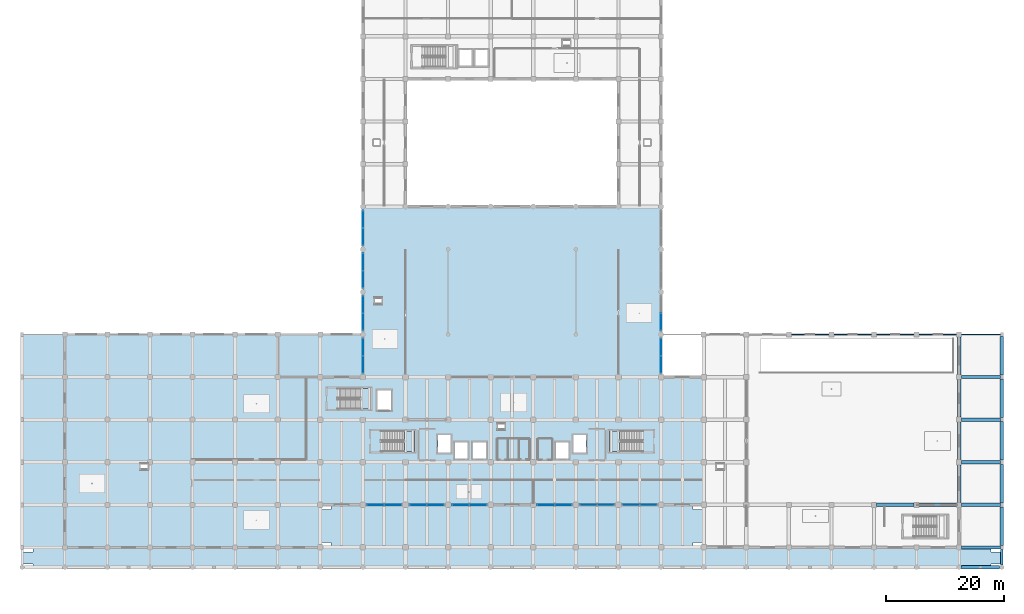
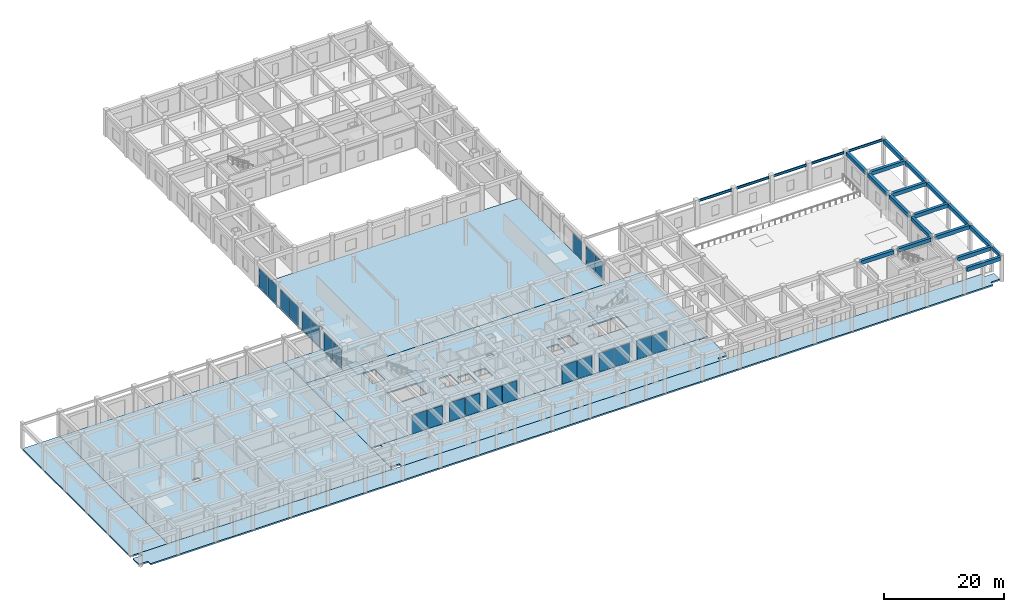
# One storey, part 23 of 56: 23 beams, 23 plates, 10 slabs, 15 elements without a shape of their own.
"""IFC4 building model written with IfcOpenShell, lengths in metres."""

from ifc_helpers import new_model, si_unit, direction, frame, origin, origin_2d, place, context, subcontext, project, spatial, polyline, rectangle, i_section, outline, extrude, material, layer, layer_set, material_profile, profile_set, type_object, element, aggregate, save


model = new_model("IFC4")

# Units and contexts
model_context = context("Model", 3, precision=1e-05, world=origin(), true_north=direction((0.0, 1.0)))
body_context = subcontext(model_context, "Body", "Model", "MODEL_VIEW")
ifc_project = project(units=[si_unit("LENGTHUNIT", "METRE"), si_unit("AREAUNIT", "SQUARE_METRE"), si_unit("VOLUMEUNIT", "CUBIC_METRE"), si_unit("PLANEANGLEUNIT", "RADIAN"), si_unit("MASSUNIT", "GRAM", prefix="KILO")], contexts=[model_context])

# Site, building, storey
site_placement = place(None, origin())
site = spatial("IfcSite", under=ifc_project, at=site_placement, CompositionType="ELEMENT")
building_placement = place(site_placement, origin())
building = spatial("IfcBuilding", under=site, at=building_placement, Name="Kazehaya Institute of Natural Sciences", CompositionType="ELEMENT")
storey_placement = place(building_placement, origin())
storey = spatial("IfcBuildingStorey", under=building, at=storey_placement, Name="L00", CompositionType="ELEMENT", Elevation=0.0)

# Beams
ifc_material_1 = material(Name="Concrete Fc36", Category="concrete")
ifc_material_profile_1 = material_profile(ifc_material_1, rectangle(XDim=0.39990234375, YDim=0.60009765625, at=origin_2d()), Name="RC-400x600")
ifc_profile_set_1 = profile_set([ifc_material_profile_1], Name="Concrete Fc36")
beam_type_1 = type_object("IfcBeamType", Name="BM-B-400x600", PredefinedType="BEAM", material=ifc_profile_set_1)
beam_1_placement = place(storey_placement, frame((169.800048828125, 3.824951171875, 4.830078125), z_axis=(0.0, 1.0, 0.0), x_axis=(-1.0, 0.0, 0.0)))
element("IfcBeam", 1, at=beam_1_placement, inside=storey, type_object=beam_type_1, Name="L00 primary Y girder BMY-L00-1698-34", PredefinedType="BEAM", context=body_context, shape_type="SweptSolid", body=[
    extrude(rectangle(XDim=0.39990234375, YDim=0.60009765625, at=origin_2d()), origin(), (0.0, 0.0, 1.0), 2.625),
])
ifc_material_profile_2 = material_profile(ifc_material_1, rectangle(XDim=0.550048828125, YDim=0.75, at=origin_2d()), Name="RC-550x750")
ifc_profile_set_2 = profile_set([ifc_material_profile_2], Name="Concrete Fc36")
beam_type_2 = type_object("IfcBeamType", Name="BM-G-550x750", PredefinedType="BEAM", material=ifc_profile_set_2)
beam_2_placement = place(storey_placement, frame((162.97509765625, 3.449951171875, 4.7548828125), z_axis=(1.0, 0.0, 0.0), x_axis=(0.0, 1.0, 0.0)))
element("IfcBeam", 2, at=beam_2_placement, inside=storey, type_object=beam_type_2, Name="L00 primary X girder BMX-L00-1626-34", PredefinedType="BEAM", context=body_context, shape_type="SweptSolid", body=[
    extrude(rectangle(XDim=0.550048828125, YDim=0.75, at=origin_2d()), origin(), (0.0, 0.0, 1.0), 6.449951171875),
])
beam_3_placement = place(storey_placement, frame((163.02490234375, 6.800048828125, 4.7548828125), z_axis=(1.0, 0.0, 0.0), x_axis=(0.0, 1.0, 0.0)))
element("IfcBeam", 3, at=beam_3_placement, inside=storey, type_object=beam_type_2, Name="L00 primary X girder BMX-L00-1626-68", PredefinedType="BEAM", context=body_context, shape_type="SweptSolid", body=[
    extrude(rectangle(XDim=0.550048828125, YDim=0.75, at=origin_2d()), origin(), (0.0, 0.0, 1.0), 6.525146484375),
])
for number, where, z_axis, x_axis, name in (
    (4, (148.625, 14.0, 4.7548828125), (1.0, 0.0, 0.0), (0.0, 1.0, 0.0), "L00 primary X girder BMX-L00-1482-140"),
    (5, (155.824951171875, 14.0, 4.7548828125), (1.0, 0.0, 0.0), (0.0, 1.0, 0.0), "L00 primary X girder BMX-L00-1554-140"),
):
    element("IfcBeam", number, at=place(storey_placement, frame(where, z_axis=z_axis, x_axis=x_axis)), inside=storey, type_object=beam_type_2, Name=name, PredefinedType="BEAM", context=body_context, shape_type="SweptSolid", body=[
        extrude(rectangle(XDim=0.550048828125, YDim=0.75, at=origin_2d()), origin(), (0.0, 0.0, 1.0), 6.35009765625),
    ])
for number, where, z_axis, x_axis, name in (
    (6, (163.02490234375, 14.0, 4.7548828125), (1.0, 0.0, 0.0), (0.0, 1.0, 0.0), "L00 primary X girder BMX-L00-1626-140"),
    (7, (163.02490234375, 21.199951171875, 4.7548828125), (1.0, 0.0, 0.0), (0.0, 1.0, 0.0), "L00 primary X girder BMX-L00-1626-212"),
    (8, (163.02490234375, 28.39990234375, 4.7548828125), (1.0, 0.0, 0.0), (0.0, 1.0, 0.0), "L00 primary X girder BMX-L00-1626-284"),
    (9, (163.02490234375, 35.60009765625, 4.7548828125), (1.0, 0.0, 0.0), (0.0, 1.0, 0.0), "L00 primary X girder BMX-L00-1626-356"),
):
    element("IfcBeam", number, at=place(storey_placement, frame(where, z_axis=z_axis, x_axis=x_axis)), inside=storey, type_object=beam_type_2, Name=name, PredefinedType="BEAM", context=body_context, shape_type="SweptSolid", body=[
        extrude(rectangle(XDim=0.550048828125, YDim=0.75, at=origin_2d()), origin(), (0.0, 0.0, 1.0), 6.525146484375),
    ])
beam_4_placement = place(storey_placement, frame((162.60009765625, 14.425048828125, 4.7548828125), z_axis=(0.0, 1.0, 0.0), x_axis=(-1.0, 0.0, 0.0)))
element("IfcBeam", 10, at=beam_4_placement, inside=storey, type_object=beam_type_2, Name="L00 primary Y girder BMY-L00-1626-140", PredefinedType="BEAM", context=body_context, shape_type="SweptSolid", body=[
    extrude(rectangle(XDim=0.550048828125, YDim=0.75, at=origin_2d()), origin(), (0.0, 0.0, 1.0), 6.349853515625),
])
for number, where, z_axis, x_axis, name in (
    (11, (162.60009765625, 21.625, 4.7548828125), (0.0, 1.0, 0.0), (-1.0, 0.0, 0.0), "L00 primary Y girder BMY-L00-1626-212"),
    (12, (162.60009765625, 28.824951171875, 4.7548828125), (0.0, 1.0, 0.0), (-1.0, 0.0, 0.0), "L00 primary Y girder BMY-L00-1626-284"),
    (13, (162.60009765625, 36.02490234375, 4.7548828125), (0.0, 1.0, 0.0), (-1.0, 0.0, 0.0), "L00 primary Y girder BMY-L00-1626-356"),
):
    element("IfcBeam", number, at=place(storey_placement, frame(where, z_axis=z_axis, x_axis=x_axis)), inside=storey, type_object=beam_type_2, Name=name, PredefinedType="BEAM", context=body_context, shape_type="SweptSolid", body=[
        extrude(rectangle(XDim=0.550048828125, YDim=0.75, at=origin_2d()), origin(), (0.0, 0.0, 1.0), 6.35009765625),
    ])
for number, where, z_axis, x_axis, name in (
    (14, (169.800048828125, 7.14990234375, 4.7548828125), (0.0, 1.0, 0.0), (-1.0, 0.0, 0.0), "L00 primary Y girder BMY-L00-1698-68"),
    (15, (169.800048828125, 14.35009765625, 4.7548828125), (0.0, 1.0, 0.0), (-1.0, 0.0, 0.0), "L00 primary Y girder BMY-L00-1698-140"),
    (16, (169.800048828125, 21.550048828125, 4.7548828125), (0.0, 1.0, 0.0), (-1.0, 0.0, 0.0), "L00 primary Y girder BMY-L00-1698-212"),
    (17, (169.800048828125, 28.75, 4.7548828125), (0.0, 1.0, 0.0), (-1.0, 0.0, 0.0), "L00 primary Y girder BMY-L00-1698-284"),
    (18, (169.800048828125, 35.949951171875, 4.7548828125), (0.0, 1.0, 0.0), (-1.0, 0.0, 0.0), "L00 primary Y girder BMY-L00-1698-356"),
):
    element("IfcBeam", number, at=place(storey_placement, frame(where, z_axis=z_axis, x_axis=x_axis)), inside=storey, type_object=beam_type_2, Name=name, PredefinedType="BEAM", context=body_context, shape_type="SweptSolid", body=[
        extrude(rectangle(XDim=0.550048828125, YDim=0.75, at=origin_2d()), origin(), (0.0, 0.0, 1.0), 6.5),
    ])
ifc_material_2 = material(Name="Structural steel SN490B", Category="steel")
ifc_material_profile_3 = material_profile(ifc_material_2, i_section(OverallWidth=0.199951171875, OverallDepth=0.5, WebThickness=0.010009765625, FlangeThickness=0.01611328125, FilletRadius=0.01611328125, at=origin_2d()), Name="H-500x200x10x16")
ifc_profile_set_3 = profile_set([ifc_material_profile_3], Name="Structural steel SN490B")
beam_type_3 = type_object("IfcBeamType", Name="BM-STL-H500", PredefinedType="BEAM", material=ifc_profile_set_3)
for number, where, z_axis, x_axis, name in (
    (19, (134.22509765625, 42.800048828125, 4.8798828125), (1.0, 0.0, 0.0), (0.0, 1.0, 0.0), "L00 primary X girder BMX-L00-1338-428"),
    (20, (141.425048828125, 42.800048828125, 4.8798828125), (1.0, 0.0, 0.0), (0.0, 1.0, 0.0), "L00 primary X girder BMX-L00-1410-428"),
):
    element("IfcBeam", number, at=place(storey_placement, frame(where, z_axis=z_axis, x_axis=x_axis)), inside=storey, type_object=beam_type_3, Name=name, PredefinedType="BEAM", context=body_context, shape_type="SweptSolid", body=[
        extrude(i_section(OverallWidth=0.199951171875, OverallDepth=0.5, WebThickness=0.010009765625, FlangeThickness=0.01611328125, FilletRadius=0.01611328125, at=origin_2d()), origin(), (0.0, 0.0, 1.0), 6.349853515625),
    ])
for number, where, z_axis, x_axis, name in (
    (21, (148.625, 42.800048828125, 4.8798828125), (1.0, 0.0, 0.0), (0.0, 1.0, 0.0), "L00 primary X girder BMX-L00-1482-428"),
    (22, (155.824951171875, 42.800048828125, 4.8798828125), (1.0, 0.0, 0.0), (0.0, 1.0, 0.0), "L00 primary X girder BMX-L00-1554-428"),
):
    element("IfcBeam", number, at=place(storey_placement, frame(where, z_axis=z_axis, x_axis=x_axis)), inside=storey, type_object=beam_type_3, Name=name, PredefinedType="BEAM", context=body_context, shape_type="SweptSolid", body=[
        extrude(i_section(OverallWidth=0.199951171875, OverallDepth=0.5, WebThickness=0.010009765625, FlangeThickness=0.01611328125, FilletRadius=0.01611328125, at=origin_2d()), origin(), (0.0, 0.0, 1.0), 6.35009765625),
    ])
beam_5_placement = place(storey_placement, frame((163.02490234375, 42.800048828125, 4.8798828125), z_axis=(1.0, 0.0, 0.0), x_axis=(0.0, 1.0, 0.0)))
element("IfcBeam", 23, at=beam_5_placement, inside=storey, type_object=beam_type_3, Name="L00 primary X girder BMX-L00-1626-428", PredefinedType="BEAM", context=body_context, shape_type="SweptSolid", body=[
    extrude(i_section(OverallWidth=0.199951171875, OverallDepth=0.5, WebThickness=0.010009765625, FlangeThickness=0.01611328125, FilletRadius=0.01611328125, at=origin_2d()), origin(), (0.0, 0.0, 1.0), 6.525146484375),
])

# Curtain wall, plates
ifc_material_3 = material(Name="Aluminium alloy A6063S-T5", Category="aluminium")
curtain_wall_type = type_object("IfcCurtainWallType", Name="CW-SYS-01", PredefinedType="NOTDEFINED", material=ifc_material_3)
curtain_wall_1_placement = place(storey_placement, origin())
curtain_wall_1 = element("IfcCurtainWall", 24, at=curtain_wall_1_placement, inside=storey, type_object=curtain_wall_type, Name="L00 unitised curtain wall CW-L00-007", PredefinedType="NOTDEFINED")
ifc_material_4 = material(Name="Low-E double-glazed vision glass", Category="glass")
ifc_layer_1 = layer(ifc_material_4, 0.030029296875, Name="Low-E double-glazed vision glass", Category="glass")
ifc_layer_set_1 = layer_set([ifc_layer_1], Name="Low-E double-glazed vision glass")
plate_type_1 = type_object("IfcPlateType", Name="CWP-01", PredefinedType="CURTAIN_PANEL", material=ifc_layer_set_1)
plate_1_placement = place(storey_placement, frame((61.800048828125, 37.735107421875, 0.06005859375), z_axis=(0.0, 0.0, 1.0), x_axis=(0.0, 1.0, 0.0)))
plate_1 = element("IfcPlate", 25, at=plate_1_placement, type_object=plate_type_1, Name="CW01 panel 1.1", PredefinedType="CURTAIN_PANEL", context=body_context, shape_type="SweptSolid", body=[
    extrude(rectangle(XDim=2.8701171875, YDim=0.030029296875, at=origin_2d()), origin(), (0.0, 0.0, 1.0), 3.780029296875),
])
plate_2_placement = place(storey_placement, frame((61.800048828125, 40.6650390625, 0.06005859375), z_axis=(0.0, 0.0, 1.0), x_axis=(0.0, 1.0, 0.0)))
plate_2 = element("IfcPlate", 26, at=plate_2_placement, type_object=plate_type_1, Name="CW01 panel 2.1", PredefinedType="CURTAIN_PANEL", context=body_context, shape_type="SweptSolid", body=[
    extrude(rectangle(XDim=2.8701171875, YDim=0.030029296875, at=origin_2d()), origin(), (0.0, 0.0, 1.0), 3.780029296875),
])
aggregate(curtain_wall_1, [plate_1, plate_2])

curtain_wall_2_placement = place(storey_placement, origin())
curtain_wall_2 = element("IfcCurtainWall", 27, at=curtain_wall_2_placement, inside=storey, type_object=curtain_wall_type, Name="L00 unitised curtain wall CW-L00-001", PredefinedType="NOTDEFINED")
ifc_layer_2 = layer(ifc_material_4, 0.0400390625, Name="Low-E double-glazed vision glass", Category="glass")
ifc_layer_set_2 = layer_set([ifc_layer_2], Name="Low-E double-glazed vision glass")
plate_type_2 = type_object("IfcPlateType", Name="CWP-02", PredefinedType="CURTAIN_PANEL", material=ifc_layer_set_2)
plate_3_placement = place(storey_placement, frame((110.06494140625, 14.0, 0.06005859375), z_axis=(0.0, 0.0, 1.0), x_axis=(-1.0, 0.0, 0.0)))
plate_3 = element("IfcPlate", 28, at=plate_3_placement, type_object=plate_type_2, Name="CW01 panel 1.1", PredefinedType="CURTAIN_PANEL", context=body_context, shape_type="SweptSolid", body=[
    extrude(rectangle(XDim=2.8701171875, YDim=0.0400390625, at=origin_2d()), origin(), (0.0, 0.0, 1.0), 3.780029296875),
])
plate_4_placement = place(storey_placement, frame((107.135009765625, 14.0, 0.06005859375), z_axis=(0.0, 0.0, 1.0), x_axis=(-1.0, 0.0, 0.0)))
plate_4 = element("IfcPlate", 29, at=plate_4_placement, type_object=plate_type_2, Name="CW01 panel 2.1", PredefinedType="CURTAIN_PANEL", context=body_context, shape_type="SweptSolid", body=[
    extrude(rectangle(XDim=2.8701171875, YDim=0.0400390625, at=origin_2d()), origin(), (0.0, 0.0, 1.0), 3.780029296875),
])
aggregate(curtain_wall_2, [plate_3, plate_4])

curtain_wall_3_placement = place(storey_placement, origin())
curtain_wall_3 = element("IfcCurtainWall", 30, at=curtain_wall_3_placement, inside=storey, type_object=curtain_wall_type, Name="L00 unitised curtain wall CW-L00-008", PredefinedType="NOTDEFINED")
plate_5_placement = place(storey_placement, frame((112.199951171875, 40.6650390625, 0.06005859375), z_axis=(0.0, 0.0, 1.0), x_axis=(0.0, -1.0, 0.0)))
plate_5 = element("IfcPlate", 31, at=plate_5_placement, type_object=plate_type_2, Name="CW01 panel 1.1", PredefinedType="CURTAIN_PANEL", context=body_context, shape_type="SweptSolid", body=[
    extrude(rectangle(XDim=2.8701171875, YDim=0.0400390625, at=origin_2d()), origin(), (0.0, 0.0, 1.0), 3.780029296875),
])
plate_6_placement = place(storey_placement, frame((112.199951171875, 37.735107421875, 0.06005859375), z_axis=(0.0, 0.0, 1.0), x_axis=(0.0, -1.0, 0.0)))
plate_6 = element("IfcPlate", 32, at=plate_6_placement, type_object=plate_type_2, Name="CW01 panel 2.1", PredefinedType="CURTAIN_PANEL", context=body_context, shape_type="SweptSolid", body=[
    extrude(rectangle(XDim=2.8701171875, YDim=0.0400390625, at=origin_2d()), origin(), (0.0, 0.0, 1.0), 3.780029296875),
])
aggregate(curtain_wall_3, [plate_5, plate_6])

curtain_wall_4_placement = place(storey_placement, origin())
curtain_wall_4 = element("IfcCurtainWall", 33, at=curtain_wall_4_placement, inside=storey, type_object=curtain_wall_type, Name="L00 unitised curtain wall CW-L00-009", PredefinedType="NOTDEFINED")
plate_7_placement = place(storey_placement, frame((61.800048828125, 44.93505859375, 0.06005859375), z_axis=(0.0, 0.0, 1.0), x_axis=(0.0, 1.0, 0.0)))
plate_7 = element("IfcPlate", 34, at=plate_7_placement, type_object=plate_type_2, Name="CW01 panel 1.1", PredefinedType="CURTAIN_PANEL", context=body_context, shape_type="SweptSolid", body=[
    extrude(rectangle(XDim=2.8701171875, YDim=0.0400390625, at=origin_2d()), origin(), (0.0, 0.0, 1.0), 3.780029296875),
])
plate_8_placement = place(storey_placement, frame((61.800048828125, 47.864990234375, 0.06005859375), z_axis=(0.0, 0.0, 1.0), x_axis=(0.0, 1.0, 0.0)))
plate_8 = element("IfcPlate", 35, at=plate_8_placement, type_object=plate_type_2, Name="CW01 panel 2.1", PredefinedType="CURTAIN_PANEL", context=body_context, shape_type="SweptSolid", body=[
    extrude(rectangle(XDim=2.8701171875, YDim=0.0400390625, at=origin_2d()), origin(), (0.0, 0.0, 1.0), 3.780029296875),
])
aggregate(curtain_wall_4, [plate_7, plate_8])

curtain_wall_5_placement = place(storey_placement, origin())
curtain_wall_5 = element("IfcCurtainWall", 36, at=curtain_wall_5_placement, inside=storey, type_object=curtain_wall_type, Name="L00 unitised curtain wall CW-L00-002", PredefinedType="NOTDEFINED")
ifc_layer_3 = layer(ifc_material_4, 0.050048828125, Name="Low-E double-glazed vision glass", Category="glass")
ifc_layer_set_3 = layer_set([ifc_layer_3], Name="Low-E double-glazed vision glass")
plate_type_3 = type_object("IfcPlateType", Name="CWP-03", PredefinedType="CURTAIN_PANEL", material=ifc_layer_set_3)
plate_9_placement = place(storey_placement, frame((102.864990234375, 14.0, 0.06005859375), z_axis=(0.0, 0.0, 1.0), x_axis=(-1.0, 0.0, 0.0)))
plate_9 = element("IfcPlate", 37, at=plate_9_placement, type_object=plate_type_3, Name="CW01 panel 1.1", PredefinedType="CURTAIN_PANEL", context=body_context, shape_type="SweptSolid", body=[
    extrude(rectangle(XDim=2.8701171875, YDim=0.050048828125, at=origin_2d()), origin(), (0.0, 0.0, 1.0), 3.780029296875),
])
plate_10_placement = place(storey_placement, frame((99.93505859375, 14.0, 0.06005859375), z_axis=(0.0, 0.0, 1.0), x_axis=(-1.0, 0.0, 0.0)))
plate_10 = element("IfcPlate", 38, at=plate_10_placement, type_object=plate_type_3, Name="CW01 panel 2.1", PredefinedType="CURTAIN_PANEL", context=body_context, shape_type="SweptSolid", body=[
    extrude(rectangle(XDim=2.8701171875, YDim=0.050048828125, at=origin_2d()), origin(), (0.0, 0.0, 1.0), 3.780029296875),
])
aggregate(curtain_wall_5, [plate_9, plate_10])

# Curtain wall, plate
curtain_wall_6_placement = place(storey_placement, origin())
curtain_wall_6 = element("IfcCurtainWall", 39, at=curtain_wall_6_placement, inside=storey, type_object=curtain_wall_type, Name="L00 unitised curtain wall CW-L00-010", PredefinedType="NOTDEFINED")
plate_11_placement = place(storey_placement, frame((112.199951171875, 44.93505859375, 0.06005859375), z_axis=(0.0, 0.0, 1.0), x_axis=(0.0, -1.0, 0.0)))
plate_11 = element("IfcPlate", 40, at=plate_11_placement, type_object=plate_type_3, Name="CW01 panel 2.1", PredefinedType="CURTAIN_PANEL", context=body_context, shape_type="SweptSolid", body=[
    extrude(rectangle(XDim=2.8701171875, YDim=0.050048828125, at=origin_2d()), origin(), (0.0, 0.0, 1.0), 3.780029296875),
])
aggregate(curtain_wall_6, [plate_11])

# Curtain wall, plates
curtain_wall_7_placement = place(storey_placement, origin())
curtain_wall_7 = element("IfcCurtainWall", 41, at=curtain_wall_7_placement, inside=storey, type_object=curtain_wall_type, Name="L00 unitised curtain wall CW-L00-011", PredefinedType="NOTDEFINED")
plate_12_placement = place(storey_placement, frame((61.800048828125, 52.135009765625, 0.06005859375), z_axis=(0.0, 0.0, 1.0), x_axis=(0.0, 1.0, 0.0)))
plate_12 = element("IfcPlate", 42, at=plate_12_placement, type_object=plate_type_3, Name="CW01 panel 1.1", PredefinedType="CURTAIN_PANEL", context=body_context, shape_type="SweptSolid", body=[
    extrude(rectangle(XDim=2.8701171875, YDim=0.050048828125, at=origin_2d()), origin(), (0.0, 0.0, 1.0), 3.780029296875),
])
plate_13_placement = place(storey_placement, frame((61.800048828125, 55.06494140625, 0.06005859375), z_axis=(0.0, 0.0, 1.0), x_axis=(0.0, 1.0, 0.0)))
plate_13 = element("IfcPlate", 43, at=plate_13_placement, type_object=plate_type_3, Name="CW01 panel 2.1", PredefinedType="CURTAIN_PANEL", context=body_context, shape_type="SweptSolid", body=[
    extrude(rectangle(XDim=2.8701171875, YDim=0.050048828125, at=origin_2d()), origin(), (0.0, 0.0, 1.0), 3.780029296875),
])
aggregate(curtain_wall_7, [plate_12, plate_13])

curtain_wall_8_placement = place(storey_placement, origin())
curtain_wall_8 = element("IfcCurtainWall", 44, at=curtain_wall_8_placement, inside=storey, type_object=curtain_wall_type, Name="L00 unitised curtain wall CW-L00-003", PredefinedType="NOTDEFINED")
ifc_layer_4 = layer(ifc_material_4, 0.06005859375, Name="Low-E double-glazed vision glass", Category="glass")
ifc_layer_set_4 = layer_set([ifc_layer_4], Name="Low-E double-glazed vision glass")
plate_type_4 = type_object("IfcPlateType", Name="CWP-04", PredefinedType="CURTAIN_PANEL", material=ifc_layer_set_4)
plate_14_placement = place(storey_placement, frame((95.6650390625, 14.0, 0.06005859375), z_axis=(0.0, 0.0, 1.0), x_axis=(-1.0, 0.0, 0.0)))
plate_14 = element("IfcPlate", 45, at=plate_14_placement, type_object=plate_type_4, Name="CW01 panel 1.1", PredefinedType="CURTAIN_PANEL", context=body_context, shape_type="SweptSolid", body=[
    extrude(rectangle(XDim=2.8701171875, YDim=0.06005859375, at=origin_2d()), origin(), (0.0, 0.0, 1.0), 3.780029296875),
])
plate_15_placement = place(storey_placement, frame((92.735107421875, 14.0, 0.06005859375), z_axis=(0.0, 0.0, 1.0), x_axis=(-1.0, 0.0, 0.0)))
plate_15 = element("IfcPlate", 46, at=plate_15_placement, type_object=plate_type_4, Name="CW01 panel 2.1", PredefinedType="CURTAIN_PANEL", context=body_context, shape_type="SweptSolid", body=[
    extrude(rectangle(XDim=2.8701171875, YDim=0.06005859375, at=origin_2d()), origin(), (0.0, 0.0, 1.0), 3.780029296875),
])
aggregate(curtain_wall_8, [plate_14, plate_15])

curtain_wall_9_placement = place(storey_placement, origin())
curtain_wall_9 = element("IfcCurtainWall", 47, at=curtain_wall_9_placement, inside=storey, type_object=curtain_wall_type, Name="L00 unitised curtain wall CW-L00-013", PredefinedType="NOTDEFINED")
plate_16_placement = place(storey_placement, frame((61.800048828125, 59.3349609375, 0.06005859375), z_axis=(0.0, 0.0, 1.0), x_axis=(0.0, 1.0, 0.0)))
plate_16 = element("IfcPlate", 48, at=plate_16_placement, type_object=plate_type_4, Name="CW01 panel 1.1", PredefinedType="CURTAIN_PANEL", context=body_context, shape_type="SweptSolid", body=[
    extrude(rectangle(XDim=2.8701171875, YDim=0.06005859375, at=origin_2d()), origin(), (0.0, 0.0, 1.0), 3.780029296875),
])
plate_17_placement = place(storey_placement, frame((61.800048828125, 62.264892578125, 0.06005859375), z_axis=(0.0, 0.0, 1.0), x_axis=(0.0, 1.0, 0.0)))
plate_17 = element("IfcPlate", 49, at=plate_17_placement, type_object=plate_type_4, Name="CW01 panel 2.1", PredefinedType="CURTAIN_PANEL", context=body_context, shape_type="SweptSolid", body=[
    extrude(rectangle(XDim=2.8701171875, YDim=0.06005859375, at=origin_2d()), origin(), (0.0, 0.0, 1.0), 3.780029296875),
])
aggregate(curtain_wall_9, [plate_16, plate_17])

curtain_wall_10_placement = place(storey_placement, origin())
curtain_wall_10 = element("IfcCurtainWall", 50, at=curtain_wall_10_placement, inside=storey, type_object=curtain_wall_type, Name="L00 unitised curtain wall CW-L00-004", PredefinedType="NOTDEFINED")
ifc_material_5 = material(Name="Insulated bronze aluminium spandrel panel", Category="aluminium")
ifc_layer_5 = layer(ifc_material_5, 0.080078125, Name="Insulated bronze aluminium spandrel panel", Category="aluminium")
ifc_layer_set_5 = layer_set([ifc_layer_5], Name="Insulated bronze aluminium spandrel panel")
plate_type_5 = type_object("IfcPlateType", Name="CWP-06", PredefinedType="CURTAIN_PANEL", material=ifc_layer_set_5)
plate_18_placement = place(storey_placement, frame((81.264892578125, 14.0, 0.06005859375), z_axis=(0.0, 0.0, 1.0), x_axis=(-1.0, 0.0, 0.0)))
plate_18 = element("IfcPlate", 51, at=plate_18_placement, type_object=plate_type_5, Name="CW01 panel 1.1", PredefinedType="CURTAIN_PANEL", context=body_context, shape_type="SweptSolid", body=[
    extrude(rectangle(XDim=2.8701171875, YDim=0.080078125, at=origin_2d()), origin(), (0.0, 0.0, 1.0), 3.780029296875),
])
plate_19_placement = place(storey_placement, frame((78.3349609375, 14.0, 0.06005859375), z_axis=(0.0, 0.0, 1.0), x_axis=(-1.0, 0.0, 0.0)))
plate_19 = element("IfcPlate", 52, at=plate_19_placement, type_object=plate_type_5, Name="CW01 panel 2.1", PredefinedType="CURTAIN_PANEL", context=body_context, shape_type="SweptSolid", body=[
    extrude(rectangle(XDim=2.8701171875, YDim=0.080078125, at=origin_2d()), origin(), (0.0, 0.0, 1.0), 3.780029296875),
])
aggregate(curtain_wall_10, [plate_18, plate_19])

curtain_wall_11_placement = place(storey_placement, origin())
curtain_wall_11 = element("IfcCurtainWall", 53, at=curtain_wall_11_placement, inside=storey, type_object=curtain_wall_type, Name="L00 unitised curtain wall CW-L00-005", PredefinedType="NOTDEFINED")
ifc_layer_6 = layer(ifc_material_5, 0.090087890625, Name="Insulated bronze aluminium spandrel panel", Category="aluminium")
ifc_layer_set_6 = layer_set([ifc_layer_6], Name="Insulated bronze aluminium spandrel panel")
plate_type_6 = type_object("IfcPlateType", Name="CWP-07", PredefinedType="CURTAIN_PANEL", material=ifc_layer_set_6)
plate_20_placement = place(storey_placement, frame((74.06494140625, 14.0, 0.06005859375), z_axis=(0.0, 0.0, 1.0), x_axis=(-1.0, 0.0, 0.0)))
plate_20 = element("IfcPlate", 54, at=plate_20_placement, type_object=plate_type_6, Name="CW01 panel 1.1", PredefinedType="CURTAIN_PANEL", context=body_context, shape_type="SweptSolid", body=[
    extrude(rectangle(XDim=2.8701171875, YDim=0.090087890625, at=origin_2d()), origin(), (0.0, 0.0, 1.0), 3.780029296875),
])
plate_21_placement = place(storey_placement, frame((71.135009765625, 14.0, 0.06005859375), z_axis=(0.0, 0.0, 1.0), x_axis=(-1.0, 0.0, 0.0)))
plate_21 = element("IfcPlate", 55, at=plate_21_placement, type_object=plate_type_6, Name="CW01 panel 2.1", PredefinedType="CURTAIN_PANEL", context=body_context, shape_type="SweptSolid", body=[
    extrude(rectangle(XDim=2.8701171875, YDim=0.090087890625, at=origin_2d()), origin(), (0.0, 0.0, 1.0), 3.780029296875),
])
aggregate(curtain_wall_11, [plate_20, plate_21])

curtain_wall_12_placement = place(storey_placement, origin())
curtain_wall_12 = element("IfcCurtainWall", 56, at=curtain_wall_12_placement, inside=storey, type_object=curtain_wall_type, Name="L00 unitised curtain wall CW-L00-006", PredefinedType="NOTDEFINED")
ifc_layer_7 = layer(ifc_material_5, 0.10009765625, Name="Insulated bronze aluminium spandrel panel", Category="aluminium")
ifc_layer_set_7 = layer_set([ifc_layer_7], Name="Insulated bronze aluminium spandrel panel")
plate_type_7 = type_object("IfcPlateType", Name="CWP-08", PredefinedType="CURTAIN_PANEL", material=ifc_layer_set_7)
plate_22_placement = place(storey_placement, frame((66.864990234375, 14.0, 0.06005859375), z_axis=(0.0, 0.0, 1.0), x_axis=(-1.0, 0.0, 0.0)))
plate_22 = element("IfcPlate", 57, at=plate_22_placement, type_object=plate_type_7, Name="CW01 panel 1.1", PredefinedType="CURTAIN_PANEL", context=body_context, shape_type="SweptSolid", body=[
    extrude(rectangle(XDim=2.8701171875, YDim=0.10009765625, at=origin_2d()), origin(), (0.0, 0.0, 1.0), 3.780029296875),
])
plate_23_placement = place(storey_placement, frame((63.93505859375, 14.0, 0.06005859375), z_axis=(0.0, 0.0, 1.0), x_axis=(-1.0, 0.0, 0.0)))
plate_23 = element("IfcPlate", 58, at=plate_23_placement, type_object=plate_type_7, Name="CW01 panel 2.1", PredefinedType="CURTAIN_PANEL", context=body_context, shape_type="SweptSolid", body=[
    extrude(rectangle(XDim=2.8701171875, YDim=0.10009765625, at=origin_2d()), origin(), (0.0, 0.0, 1.0), 3.780029296875),
])
aggregate(curtain_wall_12, [plate_22, plate_23])

# Slabs
ifc_layer_8 = layer(ifc_material_1, 0.280029296875, Name="Concrete Fc36", Category="concrete")
ifc_layer_set_8 = layer_set([ifc_layer_8], Name="Concrete Fc36")
slab_type_1 = type_object("IfcSlabType", Name="SL-FLR-280", PredefinedType="FLOOR", material=ifc_layer_set_8)
slab_1_placement = place(storey_placement, frame((0.0, 0.0, -0.280029296875)))
element("IfcSlab", 59, at=slab_1_placement, inside=storey, type_object=slab_type_1, Name="L00 structural slab L00-VOL3", PredefinedType="FLOOR", context=body_context, shape_type="SweptSolid", body=[
    extrude(outline(polyline([(11.39990234375, 6.800048828125), (54.60009765625, 6.800048828125), (54.60009765625, 42.800048828125), (11.39990234375, 42.800048828125), (11.39990234375, 6.800048828125)]), holes=[polyline([(24.199951171875, 20.0), (25.39990234375, 20.0), (25.39990234375, 20.89990234375), (24.199951171875, 20.89990234375), (24.199951171875, 20.0)])]), origin(), (0.0, 0.0, 1.0), 0.280029296875),
])
slab_2_placement = place(storey_placement, frame((0.0, 0.0, -0.280029296875)))
element("IfcSlab", 60, at=slab_2_placement, inside=storey, type_object=slab_type_1, Name="L00 structural slab L00-VOL3E", PredefinedType="FLOOR", context=body_context, shape_type="SweptSolid", body=[
    extrude(outline(polyline([(54.60009765625, 35.60009765625), (61.800048828125, 35.60009765625), (61.800048828125, 42.800048828125), (54.60009765625, 42.800048828125), (54.60009765625, 35.60009765625)])), origin(), (0.0, 0.0, 1.0), 0.280029296875),
])
slab_3_placement = place(storey_placement, frame((0.0, 0.0, -0.280029296875)))
element("IfcSlab", 61, at=slab_3_placement, inside=storey, type_object=slab_type_1, Name="L00 structural slab L00-VOL4", PredefinedType="FLOOR", context=body_context, shape_type="SweptSolid", body=[
    extrude(outline(polyline([(54.60009765625, 14.0), (119.39990234375, 14.0), (119.39990234375, 35.60009765625), (54.60009765625, 35.60009765625), (54.60009765625, 14.0)]), holes=[polyline([(84.60009765625, 26.800048828125), (85.800048828125, 26.800048828125), (85.800048828125, 27.699951171875), (84.60009765625, 27.699951171875), (84.60009765625, 26.800048828125)]), polyline([(64.860107421875, 23.0), (70.5, 23.0), (70.5, 26.47998046875), (64.860107421875, 26.47998046875), (64.860107421875, 23.0)]), polyline([(103.5, 23.0), (109.139892578125, 23.0), (109.139892578125, 26.47998046875), (103.5, 26.47998046875), (103.5, 23.0)]), polyline([(74.449951171875, 22.800048828125), (76.64990234375, 22.800048828125), (76.64990234375, 25.800048828125), (74.449951171875, 25.800048828125), (74.449951171875, 22.800048828125)]), polyline([(97.35009765625, 22.800048828125), (99.550048828125, 22.800048828125), (99.550048828125, 25.800048828125), (97.35009765625, 25.800048828125), (97.35009765625, 22.800048828125)]), polyline([(77.300048828125, 21.85009765625), (79.5, 21.85009765625), (79.5, 24.550048828125), (77.300048828125, 24.550048828125), (77.300048828125, 21.85009765625)]), polyline([(80.39990234375, 21.85009765625), (82.60009765625, 21.85009765625), (82.60009765625, 24.550048828125), (80.39990234375, 24.550048828125), (80.39990234375, 21.85009765625)]), polyline([(94.39990234375, 21.85009765625), (96.60009765625, 21.85009765625), (96.60009765625, 24.550048828125), (94.39990234375, 24.550048828125), (94.39990234375, 21.85009765625)]), polyline([(64.199951171875, 30.0), (66.60009765625, 30.0), (66.60009765625, 33.39990234375), (64.199951171875, 33.39990234375), (64.199951171875, 30.0)])]), origin(), (0.0, 0.0, 1.0), 0.280029296875),
])
slab_4_placement = place(storey_placement, frame((0.0, 0.0, -0.280029296875)))
element("IfcSlab", 62, at=slab_4_placement, inside=storey, type_object=slab_type_1, Name="L00 structural slab L00-VOL2", PredefinedType="FLOOR", context=body_context, shape_type="SweptSolid", body=[
    extrude(outline(polyline([(61.800048828125, 35.60009765625), (112.199951171875, 35.60009765625), (112.199951171875, 64.39990234375), (61.800048828125, 64.39990234375), (61.800048828125, 35.60009765625)]), holes=[polyline([(63.800048828125, 48.0), (65.0, 48.0), (65.0, 48.89990234375), (63.800048828125, 48.89990234375), (63.800048828125, 48.0)])]), origin(), (0.0, 0.0, 1.0), 0.280029296875),
])
ifc_layer_9 = layer(ifc_material_1, 0.300048828125, Name="Concrete Fc36", Category="concrete")
ifc_layer_set_9 = layer_set([ifc_layer_9], Name="Concrete Fc36")
slab_type_2 = type_object("IfcSlabType", Name="SL-FLR-300", PredefinedType="FLOOR", material=ifc_layer_set_9)
slab_5_placement = place(storey_placement, frame((0.0, 0.0, -0.300048828125)))
element("IfcSlab", 63, at=slab_5_placement, inside=storey, type_object=slab_type_2, Name="L00 outdoor terrace slab EXT-L00-COLS", PredefinedType="FLOOR", context=body_context, shape_type="SweptSolid", body=[
    extrude(outline(polyline([(6.0, 3.199951171875), (168.0, 3.199951171875), (168.0, 4.0), (169.800048828125, 4.0), (169.800048828125, 6.0), (168.0, 6.0), (168.0, 6.800048828125), (6.0, 6.800048828125), (6.0, 6.0), (4.199951171875, 6.0), (4.199951171875, 4.0), (6.0, 4.0), (6.0, 3.199951171875)])), origin(), (0.0, 0.0, 1.0), 0.300048828125),
])
slab_6_placement = place(storey_placement, frame((0.0, 0.0, -0.300048828125)))
element("IfcSlab", 64, at=slab_6_placement, inside=storey, type_object=slab_type_2, Name="L00 outdoor terrace slab EXT-L00-COLW", PredefinedType="FLOOR", context=body_context, shape_type="SweptSolid", body=[
    extrude(outline(polyline([(4.199951171875, 6.800048828125), (11.39990234375, 6.800048828125), (11.39990234375, 42.800048828125), (4.199951171875, 42.800048828125), (4.199951171875, 6.800048828125)])), origin(), (0.0, 0.0, 1.0), 0.300048828125),
])
slab_7_placement = place(storey_placement, frame((0.0, 0.0, -0.300048828125)))
element("IfcSlab", 65, at=slab_7_placement, inside=storey, type_object=slab_type_2, Name="L00 outdoor terrace slab EXT-L00-FORE", PredefinedType="FLOOR", context=body_context, shape_type="SweptSolid", body=[
    extrude(outline(polyline([(56.39990234375, 6.800048828125), (117.60009765625, 6.800048828125), (117.60009765625, 7.60009765625), (119.39990234375, 7.60009765625), (119.39990234375, 13.199951171875), (117.60009765625, 13.199951171875), (117.60009765625, 14.0), (56.39990234375, 14.0), (56.39990234375, 13.199951171875), (54.60009765625, 13.199951171875), (54.60009765625, 7.60009765625), (56.39990234375, 7.60009765625), (56.39990234375, 6.800048828125)])), origin(), (0.0, 0.0, 1.0), 0.300048828125),
])

# Stair, slab
stair_type = type_object("IfcStairType", Name="STR-DOG-5400", PredefinedType="HALF_TURN_STAIR", material=ifc_material_1)
stair_1_placement = place(storey_placement, origin())
stair_1 = element("IfcStair", 66, at=stair_1_placement, inside=storey, type_object=stair_type, Name="L00 Protected Escape Stair ST-1", PredefinedType="HALF_TURN_STAIR")
ifc_layer_10 = layer(ifc_material_1, 0.159912109375, Name="Concrete Fc36", Category="concrete")
ifc_layer_set_10 = layer_set([ifc_layer_10], Name="Concrete Fc36")
slab_type_3 = type_object("IfcSlabType", Name="SL-LND-160", PredefinedType="LANDING", material=ifc_layer_set_10)
slab_8_placement = place(storey_placement, frame((0.0, 0.0, 2.5)))
slab_8 = element("IfcSlab", 67, at=slab_8_placement, type_object=slab_type_3, Name="ST-1 landing 1", PredefinedType="LANDING", context=body_context, shape_type="SweptSolid", body=[
    extrude(outline(polyline([(68.780029296875, 23.0), (70.5, 23.0), (70.5, 26.47998046875), (68.780029296875, 26.47998046875), (68.780029296875, 23.0)])), origin(), (0.0, 0.0, 1.0), 0.199951171875),
])
aggregate(stair_1, [slab_8])

stair_2_placement = place(storey_placement, origin())
stair_2 = element("IfcStair", 68, at=stair_2_placement, inside=storey, type_object=stair_type, Name="L00 Protected Escape Stair ST-2", PredefinedType="HALF_TURN_STAIR")
slab_9_placement = place(storey_placement, frame((0.0, 0.0, 2.5)))
slab_9 = element("IfcSlab", 69, at=slab_9_placement, type_object=slab_type_3, Name="ST-2 landing 1", PredefinedType="LANDING", context=body_context, shape_type="SweptSolid", body=[
    extrude(outline(polyline([(105.219970703125, 26.47998046875), (103.5, 26.47998046875), (103.5, 23.0), (105.219970703125, 23.0), (105.219970703125, 26.47998046875)])), origin(), (0.0, 0.0, 1.0), 0.199951171875),
])
aggregate(stair_2, [slab_9])

stair_3_placement = place(storey_placement, origin())
stair_3 = element("IfcStair", 70, at=stair_3_placement, inside=storey, type_object=stair_type, Name="L00 Protected Escape Stair ST-4", PredefinedType="HALF_TURN_STAIR")
slab_10_placement = place(storey_placement, frame((0.0, 0.0, 2.5)))
slab_10 = element("IfcSlab", 71, at=slab_10_placement, type_object=slab_type_3, Name="ST-4 landing 1", PredefinedType="LANDING", context=body_context, shape_type="SweptSolid", body=[
    extrude(outline(polyline([(61.3798828125, 30.199951171875), (63.10009765625, 30.199951171875), (63.10009765625, 33.679931640625), (61.3798828125, 33.679931640625), (61.3798828125, 30.199951171875)])), origin(), (0.0, 0.0, 1.0), 0.199951171875),
])
aggregate(stair_3, [slab_10])

save(model, "model.ifc")
